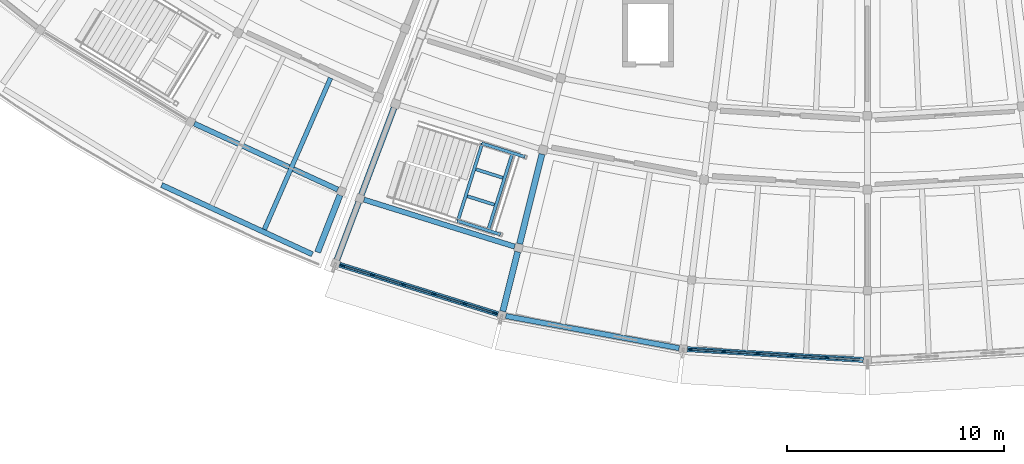
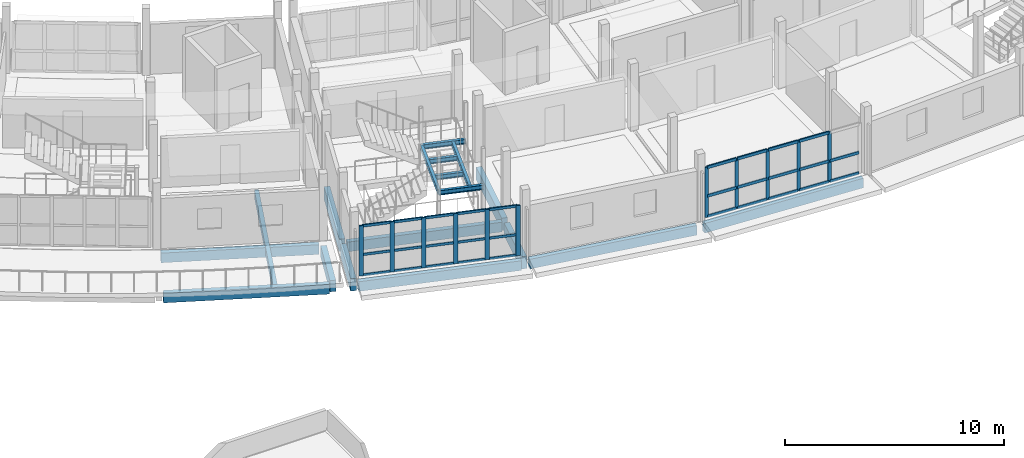
# One storey, part 8 of 36: 40 members, 18 beams, 2 elements without a shape of their own.
"""IFC4 building model written with IfcOpenShell, lengths in metres."""

from ifc_helpers import new_model, si_unit, direction, frame, origin, origin_2d, place, context, subcontext, project, spatial, rectangle, i_section, extrude, material, layer, layer_set, material_profile, profile_set, type_object, element, aggregate, save


model = new_model("IFC4")

# Units and contexts
model_context = context("Model", 3, precision=1e-05, world=origin(), true_north=direction((0.0, 1.0)))
body_context = subcontext(model_context, "Body", "Model", "MODEL_VIEW")
ifc_project = project(units=[si_unit("LENGTHUNIT", "METRE"), si_unit("AREAUNIT", "SQUARE_METRE"), si_unit("VOLUMEUNIT", "CUBIC_METRE"), si_unit("PLANEANGLEUNIT", "RADIAN"), si_unit("MASSUNIT", "GRAM", prefix="KILO")], contexts=[model_context])

# Site, building, storey
site_placement = place(None, origin())
site = spatial("IfcSite", under=ifc_project, at=site_placement, CompositionType="ELEMENT")
building_placement = place(site_placement, origin())
building = spatial("IfcBuilding", under=site, at=building_placement, Name="Caldaven Crescent School", CompositionType="ELEMENT")
storey_placement = place(building_placement, frame((0.0, 0.0, 11.89990234375)))
storey = spatial("IfcBuildingStorey", under=building, at=storey_placement, Name="L03", CompositionType="ELEMENT", Elevation=11.89990234375)

# Beams
ifc_material_1 = material(Name="Glulam MLE24h (GL28h)", Category="wood")
ifc_material_profile_1 = material_profile(ifc_material_1, rectangle(XDim=0.239990234375, YDim=0.5400390625, at=origin_2d()), Name="MLE 240x540")
ifc_profile_set_1 = profile_set([ifc_material_profile_1], Name="Glulam MLE24h (GL28h)")
beam_type_1 = type_object("IfcBeamType", Name="BM-GL54", PredefinedType="BEAM", material=ifc_profile_set_1)
beam_1_placement = place(storey_placement, frame((57.023193359375, 37.337158203125, -0.52001953125), z_axis=(0.908523111099, -0.417834604357, 0.0), x_axis=(0.417834604357, 0.908523111099, 0.0)))
element("IfcBeam", 1, at=beam_1_placement, inside=storey, type_object=beam_type_1, Name="BMT-V4W-L03-1388", PredefinedType="BEAM", context=body_context, shape_type="SweptSolid", body=[
    extrude(rectangle(XDim=0.239990234375, YDim=0.5400390625, at=origin_2d()), origin(), (0.0, 0.0, 1.0), 7.26513671875),
])
beam_2_placement = place(storey_placement, frame((64.830810546875, 33.838134765625, -0.52001953125), z_axis=(0.954751649919, -0.297404248417, 0.0), x_axis=(0.297404248417, 0.954751649919, 0.0)))
element("IfcBeam", 2, at=beam_2_placement, inside=storey, type_object=beam_type_1, Name="BMT-V5-L03-1423", PredefinedType="BEAM", context=body_context, shape_type="SweptSolid", body=[
    extrude(rectangle(XDim=0.239990234375, YDim=0.5400390625, at=origin_2d()), origin(), (0.0, 0.0, 1.0), 7.264892578125),
])
ifc_material_profile_2 = material_profile(ifc_material_1, rectangle(XDim=0.280029296875, YDim=0.6298828125, at=origin_2d()), Name="MLE 280x630")
ifc_profile_set_2 = profile_set([ifc_material_profile_2], Name="Glulam MLE24h (GL28h)")
beam_type_2 = type_object("IfcBeamType", Name="BM-GL63", PredefinedType="BEAM", material=ifc_profile_set_2)
beam_3_placement = place(storey_placement, frame((63.72705078125, 34.045166015625, -0.56494140625), z_axis=(-0.364813864007, -0.931080471618, 0.0), x_axis=(0.931080471618, -0.364813864007, 0.0)))
element("IfcBeam", 3, at=beam_3_placement, inside=storey, type_object=beam_type_2, Name="BMR-V4W-L03-1359", PredefinedType="BEAM", context=body_context, shape_type="SweptSolid", body=[
    extrude(rectangle(XDim=0.280029296875, YDim=0.6298828125, at=origin_2d()), origin(), (0.0, 0.0, 1.0), 2.820068359375),
])
ifc_material_profile_3 = material_profile(ifc_material_1, rectangle(XDim=0.280029296875, YDim=0.68994140625, at=origin_2d()), Name="MLE 280x690")
ifc_profile_set_3 = profile_set([ifc_material_profile_3], Name="Glulam MLE24h (GL28h)")
beam_type_3 = type_object("IfcBeamType", Name="BM-GL69", PredefinedType="BEAM", material=ifc_profile_set_3)
beam_4_placement = place(storey_placement, frame((66.213623046875, 38.055419921875, -0.594970703125), z_axis=(-0.351890440491, -0.936041194548, 0.0), x_axis=(0.936041194548, -0.351890440491, 0.0)))
element("IfcBeam", 4, at=beam_4_placement, inside=storey, type_object=beam_type_3, Name="BMR-V5-L03-1394", PredefinedType="BEAM", context=body_context, shape_type="SweptSolid", body=[
    extrude(rectangle(XDim=0.280029296875, YDim=0.68994140625, at=origin_2d()), origin(), (0.0, 0.0, 1.0), 4.255126953125),
])
beam_5_placement = place(storey_placement, frame((64.58251953125, 33.716796875, -0.594970703125), z_axis=(-0.351920262681, -0.936029982807, 0.0), x_axis=(0.936029982807, -0.351920262681, 0.0)))
element("IfcBeam", 5, at=beam_5_placement, inside=storey, type_object=beam_type_3, Name="BMR-V5-L03-1395", PredefinedType="BEAM", context=body_context, shape_type="SweptSolid", body=[
    extrude(rectangle(XDim=0.280029296875, YDim=0.68994140625, at=origin_2d()), origin(), (0.0, 0.0, 1.0), 2.820068359375),
])
beam_6_placement = place(storey_placement, frame((73.02392578125, 35.933837890625, -0.594970703125), z_axis=(-0.24195507035, -0.970287454279, 0.0), x_axis=(0.970287454279, -0.24195507035, 0.0)))
element("IfcBeam", 6, at=beam_6_placement, inside=storey, type_object=beam_type_3, Name="BMR-V5-L03-1398", PredefinedType="BEAM", context=body_context, shape_type="SweptSolid", body=[
    extrude(rectangle(XDim=0.280029296875, YDim=0.68994140625, at=origin_2d()), origin(), (0.0, 0.0, 1.0), 4.255126953125),
])
beam_7_placement = place(storey_placement, frame((71.902587890625, 31.4365234375, -0.594970703125), z_axis=(-0.241965234679, -0.970284919602, 0.0), x_axis=(0.970284919602, -0.241965234679, 0.0)))
element("IfcBeam", 7, at=beam_7_placement, inside=storey, type_object=beam_type_3, Name="BMR-V5-L03-1399", PredefinedType="BEAM", context=body_context, shape_type="SweptSolid", body=[
    extrude(rectangle(XDim=0.280029296875, YDim=0.68994140625, at=origin_2d()), origin(), (0.0, 0.0, 1.0), 2.820068359375),
])
ifc_material_2 = material(Name="Steel ASTM A572 Grade 50", Category="steel")
ifc_material_profile_4 = material_profile(ifc_material_2, i_section(OverallWidth=0.14599609375, OverallDepth=0.258056640625, WebThickness=0.006103515625, FlangeThickness=0.009033203125, FilletRadius=0.011962890625, at=origin_2d()), Name="W250x33")
ifc_profile_set_4 = profile_set([ifc_material_profile_4], Name="Steel ASTM A572 Grade 50")
beam_type_4 = type_object("IfcBeamType", Name="BM-W25", PredefinedType="BEAM", material=ifc_profile_set_4)
beam_8_placement = place(storey_placement, frame((69.12109375, 32.864990234375, 1.546142578125), z_axis=(0.95369733951, -0.300767991334, 0.0), x_axis=(0.300767991334, 0.95369733951, 0.0)))
element("IfcBeam", 8, at=beam_8_placement, inside=storey, type_object=beam_type_4, Name="BM-STSIDE-ST2-L03-SL", PredefinedType="BEAM", context=body_context, shape_type="SweptSolid", body=[
    extrude(i_section(OverallWidth=0.14599609375, OverallDepth=0.258056640625, WebThickness=0.006103515625, FlangeThickness=0.009033203125, FilletRadius=0.011962890625, at=origin_2d()), origin(), (0.0, 0.0, 1.0), 2.090087890625),
])
beam_9_placement = place(storey_placement, frame((70.245849609375, 36.431884765625, 1.546142578125), z_axis=(0.953686771574, -0.300801498874, 0.0), x_axis=(0.300801498874, 0.953686771574, 0.0)))
element("IfcBeam", 9, at=beam_9_placement, inside=storey, type_object=beam_type_4, Name="BM-STSIDE-ST2-L03-SR", PredefinedType="BEAM", context=body_context, shape_type="SweptSolid", body=[
    extrude(i_section(OverallWidth=0.14599609375, OverallDepth=0.258056640625, WebThickness=0.006103515625, FlangeThickness=0.009033203125, FilletRadius=0.011962890625, at=origin_2d()), origin(), (0.0, 0.0, 1.0), 2.08984375),
])
for number, where, z_axis, x_axis, name in (
    (10, (69.149658203125, 32.85595703125, 1.546142578125), (0.300734578137, 0.953707876403, 0.0), (-0.953707876403, 0.300734578137, 0.0), "BM-STLND-ST2-L03-IN"),
    (11, (70.542236328125, 32.416748046875, 1.546142578125), (0.300675202446, 0.953726597424, 0.0), (-0.953726597424, 0.300675202446, 0.0), "BM-STLND-ST2-L03-OUT"),
):
    element("IfcBeam", number, at=place(storey_placement, frame(where, z_axis=z_axis, x_axis=x_axis)), inside=storey, type_object=beam_type_4, Name=name, PredefinedType="BEAM", context=body_context, shape_type="SweptSolid", body=[
        extrude(i_section(OverallWidth=0.14599609375, OverallDepth=0.258056640625, WebThickness=0.006103515625, FlangeThickness=0.009033203125, FilletRadius=0.011962890625, at=origin_2d()), origin(), (0.0, 0.0, 1.0), 3.739990234375),
    ])

# Curtain wall, members
ifc_material_3 = material(Name="Anodised aluminium AA 6063-T6 and low-E double glazing", Category="aluminium")
ifc_layer_1 = layer(ifc_material_3, 0.2099609375)
ifc_layer_set_1 = layer_set([ifc_layer_1], Name="Anodised aluminium AA 6063-T6 and low-E double glazing")
curtain_wall_type_1 = type_object("IfcCurtainWallType", Name="CW-SYS3", PredefinedType="NOTDEFINED", material=ifc_layer_set_1)
curtain_wall_1_placement = place(storey_placement, origin())
curtain_wall_1 = element("IfcCurtainWall", 12, at=curtain_wall_1_placement, inside=storey, type_object=curtain_wall_type_1, Name="CW-L03-159", PredefinedType="NOTDEFINED")
ifc_material_4 = material(Name="Anodised aluminium AA 6063-T6", Category="aluminium")
ifc_material_profile_5 = material_profile(ifc_material_4, rectangle(XDim=0.06494140625, YDim=0.179931640625, at=origin_2d()), Name="CWM 65x180")
ifc_profile_set_5 = profile_set([ifc_material_profile_5], Name="Anodised aluminium AA 6063-T6")
member_type_1 = type_object("IfcMemberType", Name="CWM-T2", PredefinedType="MULLION", material=ifc_profile_set_5)
member_1_placement = place(storey_placement, frame((79.85595703125, 26.947998046875, 0.0), z_axis=(0.0, 0.0, 1.0), x_axis=(0.061049055851, 0.998134766843, 0.0)))
member_1 = element("IfcMember", 13, at=member_1_placement, type_object=member_type_1, Name="CW3 mullion 1", PredefinedType="MULLION", context=body_context, shape_type="SweptSolid", body=[
    extrude(rectangle(XDim=0.06494140625, YDim=0.179931640625, at=origin_2d()), origin(), (0.0, 0.0, 1.0), 2.800048828125),
])
member_2_placement = place(storey_placement, frame((81.39892578125, 26.853759765625, 0.0), z_axis=(0.0, 0.0, 1.0), x_axis=(0.061049055851, 0.998134766843, 0.0)))
member_2 = element("IfcMember", 14, at=member_2_placement, type_object=member_type_1, Name="CW3 mullion 2", PredefinedType="MULLION", context=body_context, shape_type="SweptSolid", body=[
    extrude(rectangle(XDim=0.06494140625, YDim=0.179931640625, at=origin_2d()), origin(), (0.0, 0.0, 1.0), 2.800048828125),
])
member_3_placement = place(storey_placement, frame((82.974365234375, 26.75732421875, 0.0), z_axis=(0.0, 0.0, 1.0), x_axis=(0.061049055851, 0.998134766843, 0.0)))
member_3 = element("IfcMember", 15, at=member_3_placement, type_object=member_type_1, Name="CW3 mullion 3", PredefinedType="MULLION", context=body_context, shape_type="SweptSolid", body=[
    extrude(rectangle(XDim=0.06494140625, YDim=0.179931640625, at=origin_2d()), origin(), (0.0, 0.0, 1.0), 2.800048828125),
])
member_4_placement = place(storey_placement, frame((84.5498046875, 26.6611328125, 0.0), z_axis=(0.0, 0.0, 1.0), x_axis=(0.061049055851, 0.998134766843, 0.0)))
member_4 = element("IfcMember", 16, at=member_4_placement, type_object=member_type_1, Name="CW3 mullion 4", PredefinedType="MULLION", context=body_context, shape_type="SweptSolid", body=[
    extrude(rectangle(XDim=0.06494140625, YDim=0.179931640625, at=origin_2d()), origin(), (0.0, 0.0, 1.0), 2.800048828125),
])
member_5_placement = place(storey_placement, frame((86.125244140625, 26.564697265625, 0.0), z_axis=(0.0, 0.0, 1.0), x_axis=(0.061049055851, 0.998134766843, 0.0)))
member_5 = element("IfcMember", 17, at=member_5_placement, type_object=member_type_1, Name="CW3 mullion 5", PredefinedType="MULLION", context=body_context, shape_type="SweptSolid", body=[
    extrude(rectangle(XDim=0.06494140625, YDim=0.179931640625, at=origin_2d()), origin(), (0.0, 0.0, 1.0), 2.800048828125),
])

ifc_layer_2 = layer(ifc_material_3, 0.169921875)
ifc_layer_set_2 = layer_set([ifc_layer_2], Name="Anodised aluminium AA 6063-T6 and low-E double glazing")
curtain_wall_type_2 = type_object("IfcCurtainWallType", Name="CW-SYS1", PredefinedType="NOTDEFINED", material=ifc_layer_set_2)
curtain_wall_2_placement = place(storey_placement, origin())
curtain_wall_2 = element("IfcCurtainWall", 18, at=curtain_wall_2_placement, inside=storey, type_object=curtain_wall_type_2, Name="CW-L03-156", PredefinedType="NOTDEFINED")
ifc_material_profile_6 = material_profile(ifc_material_4, rectangle(XDim=0.070068359375, YDim=0.2099609375, at=origin_2d()), Name="CWM 70x210")
ifc_profile_set_6 = profile_set([ifc_material_profile_6], Name="Anodised aluminium AA 6063-T6")
member_type_2 = type_object("IfcMemberType", Name="CWM-T3", PredefinedType="MULLION", material=ifc_profile_set_6)
member_6_placement = place(storey_placement, frame((63.843017578125, 30.7998046875, 0.0), z_axis=(0.0, 0.0, 1.0), x_axis=(0.297420222689, 0.954746673802, 0.0)))
member_6 = element("IfcMember", 19, at=member_6_placement, type_object=member_type_2, Name="CW1 mullion 1", PredefinedType="MULLION", context=body_context, shape_type="SweptSolid", body=[
    extrude(rectangle(XDim=0.070068359375, YDim=0.2099609375, at=origin_2d()), origin(), (0.0, 0.0, 1.0), 2.800048828125),
])
member_7_placement = place(storey_placement, frame((65.225341796875, 30.369140625, 0.0), z_axis=(0.0, 0.0, 1.0), x_axis=(0.297420222689, 0.954746673802, 0.0)))
member_7 = element("IfcMember", 20, at=member_7_placement, type_object=member_type_2, Name="CW1 mullion 2", PredefinedType="MULLION", context=body_context, shape_type="SweptSolid", body=[
    extrude(rectangle(XDim=0.070068359375, YDim=0.2099609375, at=origin_2d()), origin(), (0.0, 0.0, 1.0), 2.800048828125),
])
member_8_placement = place(storey_placement, frame((66.640869140625, 29.92822265625, 0.0), z_axis=(0.0, 0.0, 1.0), x_axis=(0.297420222689, 0.954746673802, 0.0)))
member_8 = element("IfcMember", 21, at=member_8_placement, type_object=member_type_2, Name="CW1 mullion 3", PredefinedType="MULLION", context=body_context, shape_type="SweptSolid", body=[
    extrude(rectangle(XDim=0.070068359375, YDim=0.2099609375, at=origin_2d()), origin(), (0.0, 0.0, 1.0), 2.800048828125),
])
member_9_placement = place(storey_placement, frame((68.056640625, 29.487060546875, 0.0), z_axis=(0.0, 0.0, 1.0), x_axis=(0.297420222689, 0.954746673802, 0.0)))
member_9 = element("IfcMember", 22, at=member_9_placement, type_object=member_type_2, Name="CW1 mullion 4", PredefinedType="MULLION", context=body_context, shape_type="SweptSolid", body=[
    extrude(rectangle(XDim=0.070068359375, YDim=0.2099609375, at=origin_2d()), origin(), (0.0, 0.0, 1.0), 2.800048828125),
])
member_10_placement = place(storey_placement, frame((69.47216796875, 29.046142578125, 0.0), z_axis=(0.0, 0.0, 1.0), x_axis=(0.297420222689, 0.954746673802, 0.0)))
member_10 = element("IfcMember", 23, at=member_10_placement, type_object=member_type_2, Name="CW1 mullion 5", PredefinedType="MULLION", context=body_context, shape_type="SweptSolid", body=[
    extrude(rectangle(XDim=0.070068359375, YDim=0.2099609375, at=origin_2d()), origin(), (0.0, 0.0, 1.0), 2.800048828125),
])
member_11_placement = place(storey_placement, frame((70.8544921875, 28.615478515625, 0.0), z_axis=(0.0, 0.0, 1.0), x_axis=(0.297420222689, 0.954746673802, 0.0)))
member_11 = element("IfcMember", 24, at=member_11_placement, type_object=member_type_2, Name="CW1 mullion 6", PredefinedType="MULLION", context=body_context, shape_type="SweptSolid", body=[
    extrude(rectangle(XDim=0.070068359375, YDim=0.2099609375, at=origin_2d()), origin(), (0.0, 0.0, 1.0), 2.800048828125),
])
ifc_material_profile_7 = material_profile(ifc_material_4, rectangle(XDim=0.06494140625, YDim=0.139892578125, at=origin_2d()), Name="CWT 65x140")
ifc_profile_set_7 = profile_set([ifc_material_profile_7], Name="Anodised aluminium AA 6063-T6")
member_type_3 = type_object("IfcMemberType", Name="CWT-T2", PredefinedType="USERDEFINED", material=ifc_profile_set_7)
member_12_placement = place(storey_placement, frame((63.87646484375, 30.789306640625, 0.03271484375), z_axis=(0.954769609805, -0.297346585979, 0.0), x_axis=(0.297346585979, 0.954769609805, 0.0)))
member_12 = element("IfcMember", 25, at=member_12_placement, type_object=member_type_3, Name="CW1 transom 1.1", ObjectType="TRANSOM", PredefinedType="USERDEFINED", context=body_context, shape_type="SweptSolid", body=[
    extrude(rectangle(XDim=0.06494140625, YDim=0.139892578125, at=origin_2d()), origin(), (0.0, 0.0, 1.0), 1.377685546875),
])
member_13_placement = place(storey_placement, frame((63.87646484375, 30.789306640625, 1.176025390625), z_axis=(0.954769609805, -0.297346585979, 0.0), x_axis=(0.297346585979, 0.954769609805, 0.0)))
member_13 = element("IfcMember", 26, at=member_13_placement, type_object=member_type_3, Name="CW1 transom 1.2", ObjectType="TRANSOM", PredefinedType="USERDEFINED", context=body_context, shape_type="SweptSolid", body=[
    extrude(rectangle(XDim=0.06494140625, YDim=0.139892578125, at=origin_2d()), origin(), (0.0, 0.0, 1.0), 1.377685546875),
])
member_14_placement = place(storey_placement, frame((63.87646484375, 30.789306640625, 2.767578125), z_axis=(0.954769609805, -0.297346585979, 0.0), x_axis=(0.297346585979, 0.954769609805, 0.0)))
member_14 = element("IfcMember", 27, at=member_14_placement, type_object=member_type_3, Name="CW1 transom 1.3", ObjectType="TRANSOM", PredefinedType="USERDEFINED", context=body_context, shape_type="SweptSolid", body=[
    extrude(rectangle(XDim=0.06494140625, YDim=0.139892578125, at=origin_2d()), origin(), (0.0, 0.0, 1.0), 1.377685546875),
])
member_15_placement = place(storey_placement, frame((65.2587890625, 30.35888671875, 0.03271484375), z_axis=(0.954688856348, -0.297605758623, 0.0), x_axis=(0.297605758623, 0.954688856348, 0.0)))
member_15 = element("IfcMember", 28, at=member_15_placement, type_object=member_type_3, Name="CW1 transom 2.1", ObjectType="TRANSOM", PredefinedType="USERDEFINED", context=body_context, shape_type="SweptSolid", body=[
    extrude(rectangle(XDim=0.06494140625, YDim=0.139892578125, at=origin_2d()), origin(), (0.0, 0.0, 1.0), 1.41259765625),
])
member_16_placement = place(storey_placement, frame((65.2587890625, 30.35888671875, 1.176025390625), z_axis=(0.954688856348, -0.297605758623, 0.0), x_axis=(0.297605758623, 0.954688856348, 0.0)))
member_16 = element("IfcMember", 29, at=member_16_placement, type_object=member_type_3, Name="CW1 transom 2.2", ObjectType="TRANSOM", PredefinedType="USERDEFINED", context=body_context, shape_type="SweptSolid", body=[
    extrude(rectangle(XDim=0.06494140625, YDim=0.139892578125, at=origin_2d()), origin(), (0.0, 0.0, 1.0), 1.41259765625),
])
member_17_placement = place(storey_placement, frame((65.2587890625, 30.35888671875, 2.767578125), z_axis=(0.954688856348, -0.297605758623, 0.0), x_axis=(0.297605758623, 0.954688856348, 0.0)))
member_17 = element("IfcMember", 30, at=member_17_placement, type_object=member_type_3, Name="CW1 transom 2.3", ObjectType="TRANSOM", PredefinedType="USERDEFINED", context=body_context, shape_type="SweptSolid", body=[
    extrude(rectangle(XDim=0.06494140625, YDim=0.139892578125, at=origin_2d()), origin(), (0.0, 0.0, 1.0), 1.41259765625),
])
member_18_placement = place(storey_placement, frame((66.67431640625, 29.917724609375, 0.03271484375), z_axis=(0.954753237083, -0.297399153126, 0.0), x_axis=(0.297399153126, 0.954753237083, 0.0)))
member_18 = element("IfcMember", 31, at=member_18_placement, type_object=member_type_3, Name="CW1 transom 3.1", ObjectType="TRANSOM", PredefinedType="USERDEFINED", context=body_context, shape_type="SweptSolid", body=[
    extrude(rectangle(XDim=0.06494140625, YDim=0.139892578125, at=origin_2d()), origin(), (0.0, 0.0, 1.0), 1.412841796875),
])
member_19_placement = place(storey_placement, frame((66.67431640625, 29.917724609375, 1.176025390625), z_axis=(0.954753237083, -0.297399153126, 0.0), x_axis=(0.297399153126, 0.954753237083, 0.0)))
member_19 = element("IfcMember", 32, at=member_19_placement, type_object=member_type_3, Name="CW1 transom 3.2", ObjectType="TRANSOM", PredefinedType="USERDEFINED", context=body_context, shape_type="SweptSolid", body=[
    extrude(rectangle(XDim=0.06494140625, YDim=0.139892578125, at=origin_2d()), origin(), (0.0, 0.0, 1.0), 1.412841796875),
])
member_20_placement = place(storey_placement, frame((66.67431640625, 29.917724609375, 2.767578125), z_axis=(0.954753237083, -0.297399153126, 0.0), x_axis=(0.297399153126, 0.954753237083, 0.0)))
member_20 = element("IfcMember", 33, at=member_20_placement, type_object=member_type_3, Name="CW1 transom 3.3", ObjectType="TRANSOM", PredefinedType="USERDEFINED", context=body_context, shape_type="SweptSolid", body=[
    extrude(rectangle(XDim=0.06494140625, YDim=0.139892578125, at=origin_2d()), origin(), (0.0, 0.0, 1.0), 1.412841796875),
])
member_21_placement = place(storey_placement, frame((68.090087890625, 29.476806640625, 0.03271484375), z_axis=(0.954737949254, -0.297448227854, 0.0), x_axis=(0.297448227854, 0.954737949254, 0.0)))
member_21 = element("IfcMember", 34, at=member_21_placement, type_object=member_type_3, Name="CW1 transom 4.1", ObjectType="TRANSOM", PredefinedType="USERDEFINED", context=body_context, shape_type="SweptSolid", body=[
    extrude(rectangle(XDim=0.06494140625, YDim=0.139892578125, at=origin_2d()), origin(), (0.0, 0.0, 1.0), 1.41259765625),
])
member_22_placement = place(storey_placement, frame((68.090087890625, 29.476806640625, 1.176025390625), z_axis=(0.954737949254, -0.297448227854, 0.0), x_axis=(0.297448227854, 0.954737949254, 0.0)))
member_22 = element("IfcMember", 35, at=member_22_placement, type_object=member_type_3, Name="CW1 transom 4.2", ObjectType="TRANSOM", PredefinedType="USERDEFINED", context=body_context, shape_type="SweptSolid", body=[
    extrude(rectangle(XDim=0.06494140625, YDim=0.139892578125, at=origin_2d()), origin(), (0.0, 0.0, 1.0), 1.41259765625),
])
member_23_placement = place(storey_placement, frame((68.090087890625, 29.476806640625, 2.767578125), z_axis=(0.954737949254, -0.297448227854, 0.0), x_axis=(0.297448227854, 0.954737949254, 0.0)))
member_23 = element("IfcMember", 36, at=member_23_placement, type_object=member_type_3, Name="CW1 transom 4.3", ObjectType="TRANSOM", PredefinedType="USERDEFINED", context=body_context, shape_type="SweptSolid", body=[
    extrude(rectangle(XDim=0.06494140625, YDim=0.139892578125, at=origin_2d()), origin(), (0.0, 0.0, 1.0), 1.41259765625),
])
member_24_placement = place(storey_placement, frame((69.505615234375, 29.03564453125, 0.03271484375), z_axis=(0.954769609805, -0.297346585979, 0.0), x_axis=(0.297346585979, 0.954769609805, 0.0)))
member_24 = element("IfcMember", 37, at=member_24_placement, type_object=member_type_3, Name="CW1 transom 5.1", ObjectType="TRANSOM", PredefinedType="USERDEFINED", context=body_context, shape_type="SweptSolid", body=[
    extrude(rectangle(XDim=0.06494140625, YDim=0.139892578125, at=origin_2d()), origin(), (0.0, 0.0, 1.0), 1.377685546875),
])
member_25_placement = place(storey_placement, frame((69.505615234375, 29.03564453125, 1.176025390625), z_axis=(0.954769609805, -0.297346585979, 0.0), x_axis=(0.297346585979, 0.954769609805, 0.0)))
member_25 = element("IfcMember", 38, at=member_25_placement, type_object=member_type_3, Name="CW1 transom 5.2", ObjectType="TRANSOM", PredefinedType="USERDEFINED", context=body_context, shape_type="SweptSolid", body=[
    extrude(rectangle(XDim=0.06494140625, YDim=0.139892578125, at=origin_2d()), origin(), (0.0, 0.0, 1.0), 1.377685546875),
])
member_26_placement = place(storey_placement, frame((69.505615234375, 29.03564453125, 2.767578125), z_axis=(0.954769609805, -0.297346585979, 0.0), x_axis=(0.297346585979, 0.954769609805, 0.0)))
member_26 = element("IfcMember", 39, at=member_26_placement, type_object=member_type_3, Name="CW1 transom 5.3", ObjectType="TRANSOM", PredefinedType="USERDEFINED", context=body_context, shape_type="SweptSolid", body=[
    extrude(rectangle(XDim=0.06494140625, YDim=0.139892578125, at=origin_2d()), origin(), (0.0, 0.0, 1.0), 1.377685546875),
])
aggregate(curtain_wall_2, [member_6, member_7, member_8, member_9, member_10, member_11, member_12, member_13, member_14, member_15, member_16, member_17, member_18, member_19, member_20, member_21, member_22, member_23, member_24, member_25, member_26])

# Member
ifc_material_profile_8 = material_profile(ifc_material_4, rectangle(XDim=0.070068359375, YDim=0.159912109375, at=origin_2d()), Name="CWT 70x160")
ifc_profile_set_8 = profile_set([ifc_material_profile_8], Name="Anodised aluminium AA 6063-T6")
member_type_4 = type_object("IfcMemberType", Name="CWT-T3", PredefinedType="USERDEFINED", material=ifc_profile_set_8)
member_27_placement = place(storey_placement, frame((79.888427734375, 26.946044921875, 0.03515625), z_axis=(0.998137595333, -0.06100279324, 0.0), x_axis=(0.06100279324, 0.998137595333, 0.0)))
member_27 = element("IfcMember", 40, at=member_27_placement, type_object=member_type_4, Name="CW3 transom 1.1", ObjectType="TRANSOM", PredefinedType="USERDEFINED", context=body_context, shape_type="SweptSolid", body=[
    extrude(rectangle(XDim=0.070068359375, YDim=0.159912109375, at=origin_2d()), origin(), (0.0, 0.0, 1.0), 1.480712890625),
])

member_28_placement = place(storey_placement, frame((79.888427734375, 26.946044921875, 1.176025390625), z_axis=(0.998137595333, -0.06100279324, 0.0), x_axis=(0.06100279324, 0.998137595333, 0.0)))
member_28 = element("IfcMember", 41, at=member_28_placement, type_object=member_type_4, Name="CW3 transom 1.2", ObjectType="TRANSOM", PredefinedType="USERDEFINED", context=body_context, shape_type="SweptSolid", body=[
    extrude(rectangle(XDim=0.070068359375, YDim=0.159912109375, at=origin_2d()), origin(), (0.0, 0.0, 1.0), 1.480712890625),
])

member_29_placement = place(storey_placement, frame((79.888427734375, 26.946044921875, 2.76513671875), z_axis=(0.998137595333, -0.06100279324, 0.0), x_axis=(0.06100279324, 0.998137595333, 0.0)))
member_29 = element("IfcMember", 42, at=member_29_placement, type_object=member_type_4, Name="CW3 transom 1.3", ObjectType="TRANSOM", PredefinedType="USERDEFINED", context=body_context, shape_type="SweptSolid", body=[
    extrude(rectangle(XDim=0.070068359375, YDim=0.159912109375, at=origin_2d()), origin(), (0.0, 0.0, 1.0), 1.480712890625),
])

member_30_placement = place(storey_placement, frame((81.431396484375, 26.851806640625, 0.03515625), z_axis=(0.998129024809, -0.061142864135, 0.0), x_axis=(0.061142864135, 0.998129024809, 0.0)))
member_30 = element("IfcMember", 43, at=member_30_placement, type_object=member_type_4, Name="CW3 transom 2.1", ObjectType="TRANSOM", PredefinedType="USERDEFINED", context=body_context, shape_type="SweptSolid", body=[
    extrude(rectangle(XDim=0.070068359375, YDim=0.159912109375, at=origin_2d()), origin(), (0.0, 0.0, 1.0), 1.513427734375),
])

member_31_placement = place(storey_placement, frame((81.431396484375, 26.851806640625, 1.176025390625), z_axis=(0.998129024809, -0.061142864135, 0.0), x_axis=(0.061142864135, 0.998129024809, 0.0)))
member_31 = element("IfcMember", 44, at=member_31_placement, type_object=member_type_4, Name="CW3 transom 2.2", ObjectType="TRANSOM", PredefinedType="USERDEFINED", context=body_context, shape_type="SweptSolid", body=[
    extrude(rectangle(XDim=0.070068359375, YDim=0.159912109375, at=origin_2d()), origin(), (0.0, 0.0, 1.0), 1.513427734375),
])

member_32_placement = place(storey_placement, frame((81.431396484375, 26.851806640625, 2.76513671875), z_axis=(0.998129024809, -0.061142864135, 0.0), x_axis=(0.061142864135, 0.998129024809, 0.0)))
member_32 = element("IfcMember", 45, at=member_32_placement, type_object=member_type_4, Name="CW3 transom 2.3", ObjectType="TRANSOM", PredefinedType="USERDEFINED", context=body_context, shape_type="SweptSolid", body=[
    extrude(rectangle(XDim=0.070068359375, YDim=0.159912109375, at=origin_2d()), origin(), (0.0, 0.0, 1.0), 1.513427734375),
])

member_33_placement = place(storey_placement, frame((83.0068359375, 26.75537109375, 0.03515625), z_axis=(0.998138857494, -0.060982138053, 0.0), x_axis=(0.060982138053, 0.998138857494, 0.0)))
member_33 = element("IfcMember", 46, at=member_33_placement, type_object=member_type_4, Name="CW3 transom 3.1", ObjectType="TRANSOM", PredefinedType="USERDEFINED", context=body_context, shape_type="SweptSolid", body=[
    extrude(rectangle(XDim=0.070068359375, YDim=0.159912109375, at=origin_2d()), origin(), (0.0, 0.0, 1.0), 1.513427734375),
])

member_34_placement = place(storey_placement, frame((83.0068359375, 26.75537109375, 1.176025390625), z_axis=(0.998138857494, -0.060982138053, 0.0), x_axis=(0.060982138053, 0.998138857494, 0.0)))
member_34 = element("IfcMember", 47, at=member_34_placement, type_object=member_type_4, Name="CW3 transom 3.2", ObjectType="TRANSOM", PredefinedType="USERDEFINED", context=body_context, shape_type="SweptSolid", body=[
    extrude(rectangle(XDim=0.070068359375, YDim=0.159912109375, at=origin_2d()), origin(), (0.0, 0.0, 1.0), 1.513427734375),
])

member_35_placement = place(storey_placement, frame((83.0068359375, 26.75537109375, 2.76513671875), z_axis=(0.998138857494, -0.060982138053, 0.0), x_axis=(0.060982138053, 0.998138857494, 0.0)))
member_35 = element("IfcMember", 48, at=member_35_placement, type_object=member_type_4, Name="CW3 transom 3.3", ObjectType="TRANSOM", PredefinedType="USERDEFINED", context=body_context, shape_type="SweptSolid", body=[
    extrude(rectangle(XDim=0.070068359375, YDim=0.159912109375, at=origin_2d()), origin(), (0.0, 0.0, 1.0), 1.513427734375),
])

member_36_placement = place(storey_placement, frame((84.58203125, 26.658935546875, 0.03515625), z_axis=(0.9981394573, -0.06097231979, 0.0), x_axis=(0.06097231979, 0.9981394573, 0.0)))
member_36 = element("IfcMember", 49, at=member_36_placement, type_object=member_type_4, Name="CW3 transom 4.1", ObjectType="TRANSOM", PredefinedType="USERDEFINED", context=body_context, shape_type="SweptSolid", body=[
    extrude(rectangle(XDim=0.070068359375, YDim=0.159912109375, at=origin_2d()), origin(), (0.0, 0.0, 1.0), 1.513671875),
])

member_37_placement = place(storey_placement, frame((84.58203125, 26.658935546875, 1.176025390625), z_axis=(0.9981394573, -0.06097231979, 0.0), x_axis=(0.06097231979, 0.9981394573, 0.0)))
member_37 = element("IfcMember", 50, at=member_37_placement, type_object=member_type_4, Name="CW3 transom 4.2", ObjectType="TRANSOM", PredefinedType="USERDEFINED", context=body_context, shape_type="SweptSolid", body=[
    extrude(rectangle(XDim=0.070068359375, YDim=0.159912109375, at=origin_2d()), origin(), (0.0, 0.0, 1.0), 1.513671875),
])

member_38_placement = place(storey_placement, frame((84.58203125, 26.658935546875, 2.76513671875), z_axis=(0.9981394573, -0.06097231979, 0.0), x_axis=(0.06097231979, 0.9981394573, 0.0)))
member_38 = element("IfcMember", 51, at=member_38_placement, type_object=member_type_4, Name="CW3 transom 4.3", ObjectType="TRANSOM", PredefinedType="USERDEFINED", context=body_context, shape_type="SweptSolid", body=[
    extrude(rectangle(XDim=0.070068359375, YDim=0.159912109375, at=origin_2d()), origin(), (0.0, 0.0, 1.0), 1.513671875),
])

member_39_placement = place(storey_placement, frame((86.157470703125, 26.562744140625, 0.03515625), z_axis=(0.998128159669, -0.061156985506, 0.0), x_axis=(0.061156985506, 0.998128159669, 0.0)))
member_39 = element("IfcMember", 52, at=member_39_placement, type_object=member_type_4, Name="CW3 transom 5.1", ObjectType="TRANSOM", PredefinedType="USERDEFINED", context=body_context, shape_type="SweptSolid", body=[
    extrude(rectangle(XDim=0.070068359375, YDim=0.159912109375, at=origin_2d()), origin(), (0.0, 0.0, 1.0), 1.48095703125),
])

member_40_placement = place(storey_placement, frame((86.157470703125, 26.562744140625, 1.176025390625), z_axis=(0.998128159669, -0.061156985506, 0.0), x_axis=(0.061156985506, 0.998128159669, 0.0)))
member_40 = element("IfcMember", 53, at=member_40_placement, type_object=member_type_4, Name="CW3 transom 5.2", ObjectType="TRANSOM", PredefinedType="USERDEFINED", context=body_context, shape_type="SweptSolid", body=[
    extrude(rectangle(XDim=0.070068359375, YDim=0.159912109375, at=origin_2d()), origin(), (0.0, 0.0, 1.0), 1.48095703125),
])

aggregate(curtain_wall_1, [member_1, member_2, member_3, member_4, member_5, member_27, member_28, member_29, member_30, member_31, member_32, member_33, member_34, member_35, member_36, member_37, member_38, member_39, member_40])

# Beams
ifc_material_profile_9 = material_profile(ifc_material_1, rectangle(XDim=0.2099609375, YDim=0.419921875, at=origin_2d()), Name="MLE 210x420")
ifc_profile_set_9 = profile_set([ifc_material_profile_9], Name="Glulam MLE24h (GL28h)")
beam_type_5 = type_object("IfcBeamType", Name="JS-GL42", PredefinedType="JOIST", material=ifc_profile_set_9)
beam_10_placement = place(storey_placement, frame((63.293701171875, 39.4365234375, -0.4599609375), z_axis=(-0.400291901065, -0.916387687576, 0.0), x_axis=(0.916387687576, -0.400291901065, 0.0)))
element("IfcBeam", 54, at=beam_10_placement, inside=storey, type_object=beam_type_5, Name="JSR-V4W-L03-1391", PredefinedType="JOIST", context=body_context, shape_type="SweptSolid", body=[
    extrude(rectangle(XDim=0.2099609375, YDim=0.419921875, at=origin_2d()), origin(), (0.0, 0.0, 1.0), 7.608642578125),
])
ifc_material_profile_10 = material_profile(ifc_material_2, i_section(OverallWidth=0.14599609375, OverallDepth=0.258056640625, WebThickness=0.006103515625, FlangeThickness=0.009033203125, FilletRadius=0.011962890625, at=origin_2d()), Name="W250x33")
ifc_profile_set_10 = profile_set([ifc_material_profile_10], Name="Steel ASTM A572 Grade 50")
beam_type_6 = type_object("IfcBeamType", Name="LN-W25", PredefinedType="LINTEL", material=ifc_profile_set_10)
for number, where, z_axis, x_axis, name in (
    (55, (69.593017578125, 33.995361328125, 1.546142578125), (0.953721650171, -0.300690894432, 0.0), (0.300690894432, 0.953721650171, 0.0), "BM-STJST-ST2-L03-JL"),
    (56, (69.98388671875, 35.235107421875, 1.546142578125), (0.953721650171, -0.300690894432, 0.0), (0.300690894432, 0.953721650171, 0.0), "BM-STJST-ST2-L03-JR"),
):
    element("IfcBeam", number, at=place(storey_placement, frame(where, z_axis=z_axis, x_axis=x_axis)), inside=storey, type_object=beam_type_6, Name=name, PredefinedType="LINTEL", context=body_context, shape_type="SweptSolid", body=[
        extrude(i_section(OverallWidth=0.14599609375, OverallDepth=0.258056640625, WebThickness=0.006103515625, FlangeThickness=0.009033203125, FilletRadius=0.011962890625, at=origin_2d()), origin(), (0.0, 0.0, 1.0), 1.2998046875),
    ])
ifc_material_profile_11 = material_profile(ifc_material_1, rectangle(XDim=0.239990234375, YDim=0.5400390625, at=origin_2d()), Name="MLE 240x540")
ifc_profile_set_11 = profile_set([ifc_material_profile_11], Name="Glulam MLE24h (GL28h)")
beam_type_7 = type_object("IfcBeamType", Name="SP-GL54", PredefinedType="SPANDREL", material=ifc_profile_set_11)
for number, where, z_axis, x_axis, name in (
    (57, (55.520751953125, 34.51171875, -0.52001953125), (0.908522990754, -0.417834866031, 0.0), (0.417834866031, 0.908522990754, 0.0), "BMT-V4W-L03-1389"),
    (58, (63.70458984375, 30.843017578125, -0.52001953125), (0.954744218179, -0.297428105352, 0.0), (0.297428105352, 0.954744218179, 0.0), "BMT-V5-L03-1424"),
):
    element("IfcBeam", number, at=place(storey_placement, frame(where, z_axis=z_axis, x_axis=x_axis)), inside=storey, type_object=beam_type_7, Name=name, PredefinedType="SPANDREL", context=body_context, shape_type="SweptSolid", body=[
        extrude(rectangle(XDim=0.239990234375, YDim=0.5400390625, at=origin_2d()), origin(), (0.0, 0.0, 1.0), 7.6337890625),
    ])
for number, where, z_axis, x_axis, name in (
    (59, (71.361083984375, 28.481201171875, -0.52001953125), (0.983255051002, -0.182234751571, 0.0), (0.182234751571, 0.983255051002, 0.0), "BMT-V5-L03-1431"),
    (60, (79.713623046875, 26.956787109375, -0.52001953125), (0.998135526675, -0.061036631531, 0.0), (0.061036631531, 0.998135526675, 0.0), "BMT-V5-L03-1438"),
):
    element("IfcBeam", number, at=place(storey_placement, frame(where, z_axis=z_axis, x_axis=x_axis)), inside=storey, type_object=beam_type_7, Name=name, PredefinedType="SPANDREL", context=body_context, shape_type="SweptSolid", body=[
        extrude(rectangle(XDim=0.239990234375, YDim=0.5400390625, at=origin_2d()), origin(), (0.0, 0.0, 1.0), 8.11181640625),
    ])

save(model, "model.ifc")
